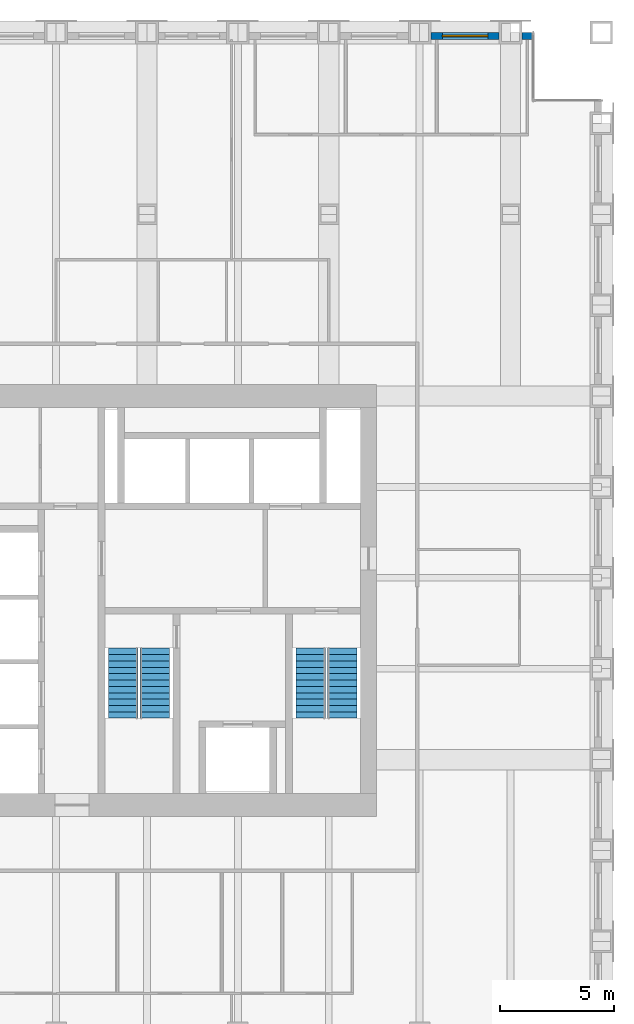
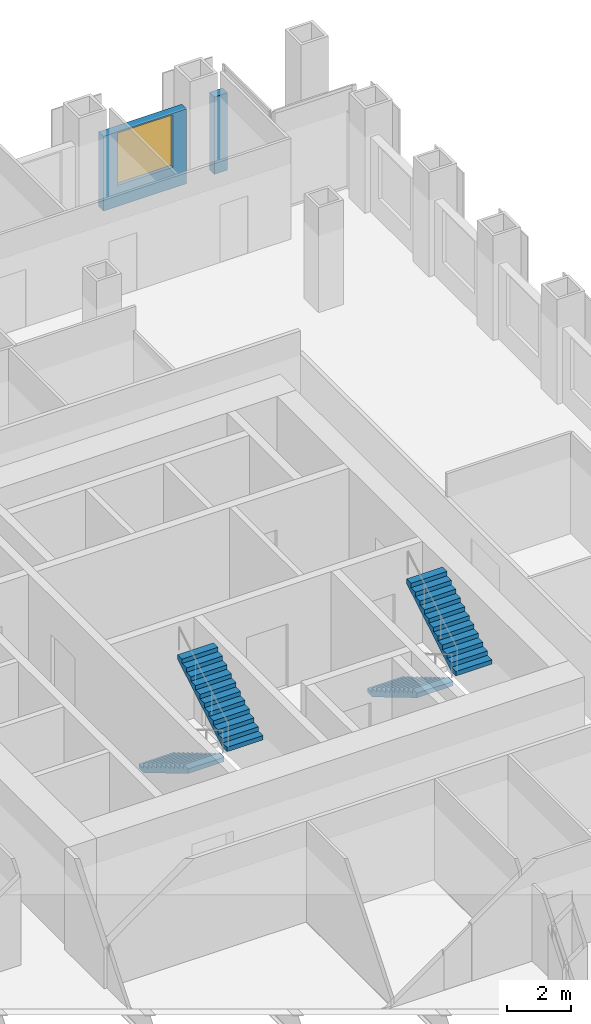
# One storey, part 11 of 12: 4 stair flights, 2 walls, 1 window, 1 opening, 2 elements without a shape of their own.
"""IFC4 building model written with IfcOpenShell, lengths in metres."""

import ifcopenshell
import ifcopenshell.guid

model = None  # the IFC model being written
_history = None  # IfcOwnerHistory: only IFC2X3 demands one
_inside = {}  # id of a spatial element -> (the spatial element, [elements in it])
_under = {}  # id of a project, library or spatial element -> (it, [spatial elements below it])
_declared = {}  # id of a project -> (the project, [libraries it declares])
_typed = {}  # id of a type object -> (the type object, [elements of that type])
_made_of = {}  # id of a material, layer set ... -> (it, [elements and type objects made of it])


def new_model(schema):
    """Start an empty IFC model of exactly this schema.

    Asked for "IFC4X3", IfcOpenShell would pick the latest addendum, in which some entities
    have other attributes; the version numbers below select the first issue.
    IFC2X3 requires an IfcOwnerHistory on every rooted entity: one is made here for all.
    """
    global model, _history
    if schema == "IFC4X3":
        model = ifcopenshell.file(schema_version=(4, 3, 0, 0))
    else:
        model = ifcopenshell.file(schema=schema)
    _inside.clear()
    _under.clear()
    _declared.clear()
    _typed.clear()
    _made_of.clear()
    _history = None
    if model.schema == "IFC2X3":
        org = make("IfcOrganization", Name="unknown")
        user = make(
            "IfcPersonAndOrganization",
            ThePerson=make("IfcPerson", FamilyName="unknown"),
            TheOrganization=org,
        )
        app = make(
            "IfcApplication",
            ApplicationDeveloper=org,
            Version="unknown",
            ApplicationFullName="unknown",
            ApplicationIdentifier="unknown",
        )
        _history = make(
            "IfcOwnerHistory",
            OwningUser=user,
            OwningApplication=app,
            ChangeAction="ADDED",
            CreationDate=0,
        )
    return model


def make(cls, **values):
    """One entity of the class cls with the attributes given. An attribute that is None is left unset."""
    return model.create_entity(
        cls, **{name: value for name, value in values.items() if value is not None}
    )


def rooted(cls, **values):
    """An entity with a GlobalId (a new one), such as an element, a storey or a relation."""
    return make(cls, GlobalId=ifcopenshell.guid.new(), OwnerHistory=_history, **values)


def si_unit(unit_type, name, prefix=None):
    """IfcSIUnit, for example si_unit("LENGTHUNIT", "METRE", prefix="MILLI")."""
    return make("IfcSIUnit", UnitType=unit_type, Prefix=prefix, Name=name)


def assignment(units):
    """IfcUnitAssignment: the units of a project."""
    return None if units is None else make("IfcUnitAssignment", Units=units)


def point(xyz):
    """IfcCartesianPoint."""
    return None if xyz is None else make("IfcCartesianPoint", Coordinates=xyz)


def direction(xyz):
    """IfcDirection."""
    return None if xyz is None else make("IfcDirection", DirectionRatios=xyz)


def frame(location, z_axis=None, x_axis=None):
    """IfcAxis2Placement3D, a coordinate frame: its origin and axes. An axis left out is left unset."""
    return make(
        "IfcAxis2Placement3D",
        Location=point(location),
        Axis=direction(z_axis),
        RefDirection=direction(x_axis),
    )


def frame_2d(location, x_axis=None):
    """IfcAxis2Placement2D, a coordinate frame in the plane: its origin and x axis."""
    return make(
        "IfcAxis2Placement2D", Location=point(location), RefDirection=direction(x_axis)
    )


def origin():
    """The frame at (0, 0, 0) with its axes left unset."""
    return frame((0.0, 0.0, 0.0))


def place(relative_to, where):
    """IfcLocalPlacement: puts the frame where relative to a parent placement (None: the world)."""
    return make(
        "IfcLocalPlacement", PlacementRelTo=relative_to, RelativePlacement=where
    )


def context(
    kind, dimensions, precision=None, world=None, true_north=None, identifier=None
):
    """IfcGeometricRepresentationContext, for example the 3D "Model" context."""
    return make(
        "IfcGeometricRepresentationContext",
        ContextIdentifier=identifier,
        ContextType=kind,
        CoordinateSpaceDimension=dimensions,
        Precision=precision,
        WorldCoordinateSystem=world,
        TrueNorth=true_north,
    )


def subcontext(parent, identifier, kind, view, scale=None):
    """IfcGeometricRepresentationSubContext, for example "Body" below "Model"."""
    return make(
        "IfcGeometricRepresentationSubContext",
        ContextIdentifier=identifier,
        ContextType=kind,
        ParentContext=parent,
        TargetScale=scale,
        TargetView=view,
    )


def project(units=None, contexts=None):
    """IfcProject with its units and contexts."""
    return rooted(
        "IfcProject",
        Name="project",
        RepresentationContexts=contexts,
        UnitsInContext=assignment(units),
    )


def spatial(cls, under=None, at=None, **own):
    """A site, building, storey or space (cls), placed at a placement, below another one or the project."""
    s = rooted(cls, ObjectPlacement=at, **own)
    if under is not None:
        _under.setdefault(under.id(), (under, []))[1].append(s)
    return s


def polyline(points):
    """IfcPolyline through the points."""
    return make("IfcPolyline", Points=[point(p) for p in points])


def profile(cls, at=None, kind="AREA", **sizes):
    """A parametric profile (cls). Its sizes go by their IFC names, for example OverallWidth=200.0."""
    return make(cls, ProfileType=kind, Position=at, **sizes)


def rectangle(**sizes):
    """IfcRectangleProfileDef."""
    return profile("IfcRectangleProfileDef", **sizes)


def outline(outer, holes=None, kind="AREA"):
    """IfcArbitraryClosedProfileDef: a profile drawn as a closed curve; with holes, ...WithVoids."""
    if holes is None:
        return make("IfcArbitraryClosedProfileDef", ProfileType=kind, OuterCurve=outer)
    return make(
        "IfcArbitraryProfileDefWithVoids",
        ProfileType=kind,
        OuterCurve=outer,
        InnerCurves=holes,
    )


def extrude(swept, where, along, depth):
    """IfcExtrudedAreaSolid: the profile swept, set in the frame where, extruded along a direction by depth."""
    return make(
        "IfcExtrudedAreaSolid",
        SweptArea=swept,
        Position=where,
        ExtrudedDirection=direction(along),
        Depth=depth,
    )


def shape(context_of_items, identifier, shape_type, items):
    """IfcShapeRepresentation: the items that make up one representation, for example the "Body"."""
    return make(
        "IfcShapeRepresentation",
        ContextOfItems=context_of_items,
        RepresentationIdentifier=identifier,
        RepresentationType=shape_type,
        Items=items,
    )


def material(Name=None, Category=None):
    """IfcMaterial."""
    return make("IfcMaterial", Name=Name, Category=Category)


def layer(
    of_material, thickness, ventilated=None, Name=None, Category=None, Priority=None
):
    """IfcMaterialLayer: one layer of a wall or slab, of a material (None: an air gap)."""
    return make(
        "IfcMaterialLayer",
        Material=of_material,
        LayerThickness=thickness,
        IsVentilated=ventilated,
        Name=Name,
        Category=Category,
        Priority=Priority,
    )


def layer_set(layers, Name=None):
    """IfcMaterialLayerSet."""
    return make("IfcMaterialLayerSet", MaterialLayers=layers, LayerSetName=Name)


def made_of(thing, what):
    """Note that an element or type object is made of a material, layer set ...; save() writes the relation."""
    if what is not None:
        _made_of.setdefault(what.id(), (what, []))[1].append(thing)
    return thing


def type_object(cls, material=None, **own):
    """A type object (cls), such as IfcWallType, which elements share."""
    return made_of(rooted(cls, **own), material)


def element(
    cls,
    number,
    at=None,
    inside=None,
    cuts=None,
    type_object=None,
    material=None,
    context=None,
    identifier="Body",
    shape_type=None,
    held_by="IfcProductDefinitionShape",
    body=None,
    shapes=None,
    **own,
):
    """One element of the class cls, such as IfcWall. Its Tag is "e" and its number.

    at: its placement. inside: the storey or other place that contains it. cuts: it is an
    opening in that element (IfcRelVoidsElement). A single representation is given by context,
    identifier, shape_type and body (its items); several are given by shapes. held_by: the class
    of the entity that holds the representations. save() writes the other relations.
    """
    e = rooted(cls, Tag="e%d" % number, ObjectPlacement=at, **own)
    if body is not None:
        shapes = [shape(context, identifier, shape_type, body)]
    if shapes is not None:
        e.Representation = make(held_by, Representations=shapes)
    if inside is not None:
        _inside.setdefault(inside.id(), (inside, []))[1].append(e)
    if cuts is not None:
        rooted(
            "IfcRelVoidsElement", RelatingBuildingElement=cuts, RelatedOpeningElement=e
        )
    if type_object is not None:
        _typed.setdefault(type_object.id(), (type_object, []))[1].append(e)
    return made_of(e, material)


def fill(opening, filler):
    """IfcRelFillsElement: the door or window that sits in an opening."""
    return rooted(
        "IfcRelFillsElement",
        RelatingOpeningElement=opening,
        RelatedBuildingElement=filler,
    )


def aggregate(whole, parts):
    """IfcRelAggregates: a whole, such as a stair, and the parts it consists of."""
    return rooted("IfcRelAggregates", RelatingObject=whole, RelatedObjects=parts)


def save(model, path):
    """Write the relations noted so far, then the file.

    IfcRelAggregates (storeys below a building ...), IfcRelContainedInSpatialStructure (elements
    in a storey), IfcRelDefinesByType, IfcRelAssociatesMaterial and IfcRelDeclares: one each for
    every whole, place, type object, material and project.
    """
    for whole, parts in _under.values():
        aggregate(whole, parts)
    for where, things in _inside.values():
        rooted(
            "IfcRelContainedInSpatialStructure",
            RelatedElements=things,
            RelatingStructure=where,
        )
    for kind, things in _typed.values():
        rooted("IfcRelDefinesByType", RelatedObjects=things, RelatingType=kind)
    for what, things in _made_of.values():
        rooted("IfcRelAssociatesMaterial", RelatedObjects=things, RelatingMaterial=what)
    for by, libraries in _declared.values():
        rooted("IfcRelDeclares", RelatingContext=by, RelatedDefinitions=libraries)
    model.write(path)


model = new_model("IFC4")

# Units and contexts
model_context = context("Model", 3, precision=1e-05, world=origin(), true_north=direction((0.0, 1.0)))
body_context = subcontext(model_context, "Body", "Model", "MODEL_VIEW")
ifc_project = project(units=[si_unit("LENGTHUNIT", "METRE"), si_unit("AREAUNIT", "SQUARE_METRE"), si_unit("VOLUMEUNIT", "CUBIC_METRE"), si_unit("PLANEANGLEUNIT", "RADIAN"), si_unit("MASSUNIT", "GRAM", prefix="KILO")], contexts=[model_context])

# Site, building, storey
site_placement = place(None, origin())
site = spatial("IfcSite", under=ifc_project, at=site_placement, CompositionType="ELEMENT")
building_placement = place(site_placement, origin())
building = spatial("IfcBuilding", under=site, at=building_placement, Name="Rimbunsela Tower", CompositionType="ELEMENT")
storey_placement = place(building_placement, frame((0.0, 0.0, 159.800048828125)))
storey = spatial("IfcBuildingStorey", under=building, at=storey_placement, Name="L38", CompositionType="ELEMENT", Elevation=159.800048828125)

# Wall, opening, window
ifc_material_1 = material(Name="Precast concrete fc' 35 MPa", Category="concrete")
ifc_layer = layer(ifc_material_1, 0.300048828125)
ifc_layer_set = layer_set([ifc_layer], Name="Precast concrete fc' 35 MPa")
wall_type = type_object("IfcWallType", Name="Precast facade panel 300", PredefinedType="ELEMENTEDWALL", material=ifc_layer_set)
wall_1_placement = place(storey_placement, frame((41.5, 51.85009765625, 0.0), z_axis=(0.0, 0.0, 1.0), x_axis=(-1.0, 0.0, 0.0)))
wall_1 = element("IfcWall", 1, at=wall_1_placement, inside=storey, type_object=wall_type, Name="Facade panel N L38", PredefinedType="ELEMENTEDWALL", context=body_context, shape_type="SweptSolid", body=[
    extrude(rectangle(XDim=3.0, YDim=0.300048828125, at=frame_2d((1.5, 0.0))), origin(), (0.0, 0.0, 1.0), 2.849853515625),
])
opening_placement = place(wall_1_placement, frame((0.5, 0.0, 0.800048828125)))
opening = element("IfcOpeningElement", 2, at=opening_placement, cuts=wall_1, Name="Opening W1", PredefinedType="OPENING", context=body_context, shape_type="SweptSolid", body=[
    extrude(rectangle(XDim=2.0, YDim=2.0, at=frame_2d((1.0, 1.0))), frame((0.0, 0.159912109375, 0.0), z_axis=(0.0, -1.0, 0.0), x_axis=(1.0, 0.0, 0.0)), (0.0, 0.0, 1.0), 0.320068359375),
])
ifc_material_2 = material(Name="Clear glass in aluminium frame", Category="aluminium")
window_type = type_object("IfcWindowType", Name="Window W1 2000x2000", PartitioningType="DOUBLE_PANEL_VERTICAL", PredefinedType="WINDOW", material=ifc_material_2)
window_placement = place(opening_placement, origin())
window = element("IfcWindow", 3, at=window_placement, inside=storey, type_object=window_type, Name="Window L38", OverallHeight=2.0, OverallWidth=2.0, PartitioningType="SINGLE_PANEL", PredefinedType="WINDOW", context=body_context, shape_type="SweptSolid", body=[
    extrude(rectangle(XDim=2.0, YDim=2.0, at=frame_2d((1.0, 1.0))), frame((0.0, 0.030029296875, 0.0), z_axis=(0.0, -1.0, 0.0), x_axis=(1.0, 0.0, 0.0)), (0.0, 0.0, 1.0), 0.06005859375),
])
fill(opening, window)

# Wall
wall_2_placement = place(storey_placement, frame((42.969970703125, 51.85009765625, 0.0), z_axis=(0.0, 0.0, 1.0), x_axis=(-1.0, 0.0, 0.0)))
element("IfcWall", 4, at=wall_2_placement, inside=storey, type_object=wall_type, Name="Facade panel N L38", PredefinedType="ELEMENTEDWALL", context=body_context, shape_type="SweptSolid", body=[
    extrude(rectangle(XDim=0.469970703125, YDim=0.300048828125, at=frame_2d((0.23486328125, 0.0))), origin(), (0.0, 0.0, 1.0), 2.949951171875),
])

# Stair, stair flights
ifc_material_3 = material(Name="Concrete fc' 35 MPa", Category="concrete")
stair_type = type_object("IfcStairType", Name="Exit stair 24 risers", PredefinedType="HALF_TURN_STAIR", material=ifc_material_3)
stair_1_placement = place(storey_placement, origin())
stair_1 = element("IfcStair", 5, at=stair_1_placement, inside=storey, type_object=stair_type, Name="Exit stair A L38", PredefinedType="HALF_TURN_STAIR")
ifc_material_4 = material(Name="Concrete fc' 35 MPa", Category="concrete")
stair_flight_type = type_object("IfcStairFlightType", Name="Stair flight 12 risers 167", PredefinedType="STRAIGHT", material=ifc_material_4)
stair_flight_1_placement = place(storey_placement, frame((24.949951171875, 24.89990234375, 0.0), z_axis=(0.0, 0.0, 1.0), x_axis=(0.0, -1.0, 0.0)))
stair_flight_1 = element("IfcStairFlight", 6, at=stair_flight_1_placement, type_object=stair_flight_type, Name="ST-A flight 1", NumberOfRisers=12, NumberOfTreads=11, PredefinedType="STRAIGHT", RiserHeight=0.166666667, TreadLength=0.28, context=body_context, shape_type="SweptSolid", body=[
    extrude(outline(polyline([(0.0, 0.0), (0.0, 0.166748046875), (0.280029296875, 0.166748046875), (0.280029296875, 0.333251953125), (0.56005859375, 0.333251953125), (0.56005859375, 0.5), (0.840087890625, 0.5), (0.840087890625, 0.666748046875), (1.1201171875, 0.666748046875), (1.1201171875, 0.833251953125), (1.39990234375, 0.833251953125), (1.39990234375, 1.0), (1.679931640625, 1.0), (1.679931640625, 1.166748046875), (1.9599609375, 1.166748046875), (1.9599609375, 1.333251953125), (2.239990234375, 1.333251953125), (2.239990234375, 1.5), (2.52001953125, 1.5), (2.52001953125, 1.666748046875), (2.800048828125, 1.666748046875), (2.800048828125, 1.833251953125), (3.080078125, 1.833251953125), (3.080078125, 2.0), (3.080078125, 1.658935546875), (0.29296875, 0.0), (0.0, 0.0)])), frame((0.0, 0.64990234375, 0.0), z_axis=(0.0, -1.0, 0.0), x_axis=(1.0, 0.0, 0.0)), (0.0, 0.0, 1.0), 1.300048828125),
])
stair_flight_2_placement = place(storey_placement, frame((26.35009765625, 21.820068359375, 2.0), z_axis=(0.0, 0.0, 1.0), x_axis=(0.0, 1.0, 0.0)))
stair_flight_2 = element("IfcStairFlight", 7, at=stair_flight_2_placement, type_object=stair_flight_type, Name="ST-A flight 2", NumberOfRisers=12, NumberOfTreads=11, PredefinedType="STRAIGHT", RiserHeight=0.166666667, TreadLength=0.28, context=body_context, shape_type="SweptSolid", body=[
    extrude(outline(polyline([(0.0, 0.0), (0.0, 0.166748046875), (0.280029296875, 0.166748046875), (0.280029296875, 0.333251953125), (0.56005859375, 0.333251953125), (0.56005859375, 0.5), (0.840087890625, 0.5), (0.840087890625, 0.666748046875), (1.1201171875, 0.666748046875), (1.1201171875, 0.833251953125), (1.39990234375, 0.833251953125), (1.39990234375, 1.0), (1.679931640625, 1.0), (1.679931640625, 1.166748046875), (1.9599609375, 1.166748046875), (1.9599609375, 1.333251953125), (2.239990234375, 1.333251953125), (2.239990234375, 1.5), (2.52001953125, 1.5), (2.52001953125, 1.666748046875), (2.800048828125, 1.666748046875), (2.800048828125, 1.833251953125), (3.080078125, 1.833251953125), (3.080078125, 2.0), (3.080078125, 1.658935546875), (0.29296875, 0.0), (0.0, 0.0)])), frame((0.0, 0.64990234375, 0.0), z_axis=(0.0, -1.0, 0.0), x_axis=(1.0, 0.0, 0.0)), (0.0, 0.0, 1.0), 1.300048828125),
])
aggregate(stair_1, [stair_flight_1, stair_flight_2])

stair_2_placement = place(storey_placement, origin())
stair_2 = element("IfcStair", 8, at=stair_2_placement, inside=storey, type_object=stair_type, Name="Exit stair B L38", PredefinedType="HALF_TURN_STAIR")
stair_flight_3_placement = place(storey_placement, frame((33.199951171875, 24.89990234375, 0.0), z_axis=(0.0, 0.0, 1.0), x_axis=(0.0, -1.0, 0.0)))
stair_flight_3 = element("IfcStairFlight", 9, at=stair_flight_3_placement, type_object=stair_flight_type, Name="ST-B flight 1", NumberOfRisers=12, NumberOfTreads=11, PredefinedType="STRAIGHT", RiserHeight=0.166666667, TreadLength=0.28, context=body_context, shape_type="SweptSolid", body=[
    extrude(outline(polyline([(0.0, 0.0), (0.0, 0.166748046875), (0.280029296875, 0.166748046875), (0.280029296875, 0.333251953125), (0.56005859375, 0.333251953125), (0.56005859375, 0.5), (0.840087890625, 0.5), (0.840087890625, 0.666748046875), (1.1201171875, 0.666748046875), (1.1201171875, 0.833251953125), (1.39990234375, 0.833251953125), (1.39990234375, 1.0), (1.679931640625, 1.0), (1.679931640625, 1.166748046875), (1.9599609375, 1.166748046875), (1.9599609375, 1.333251953125), (2.239990234375, 1.333251953125), (2.239990234375, 1.5), (2.52001953125, 1.5), (2.52001953125, 1.666748046875), (2.800048828125, 1.666748046875), (2.800048828125, 1.833251953125), (3.080078125, 1.833251953125), (3.080078125, 2.0), (3.080078125, 1.658935546875), (0.29296875, 0.0), (0.0, 0.0)])), frame((0.0, 0.64990234375, 0.0), z_axis=(0.0, -1.0, 0.0), x_axis=(1.0, 0.0, 0.0)), (0.0, 0.0, 1.0), 1.300048828125),
])
stair_flight_4_placement = place(storey_placement, frame((34.60009765625, 21.820068359375, 2.0), z_axis=(0.0, 0.0, 1.0), x_axis=(0.0, 1.0, 0.0)))
stair_flight_4 = element("IfcStairFlight", 10, at=stair_flight_4_placement, type_object=stair_flight_type, Name="ST-B flight 2", NumberOfRisers=12, NumberOfTreads=11, PredefinedType="STRAIGHT", RiserHeight=0.166666667, TreadLength=0.28, context=body_context, shape_type="SweptSolid", body=[
    extrude(outline(polyline([(0.0, 0.0), (0.0, 0.166748046875), (0.280029296875, 0.166748046875), (0.280029296875, 0.333251953125), (0.56005859375, 0.333251953125), (0.56005859375, 0.5), (0.840087890625, 0.5), (0.840087890625, 0.666748046875), (1.1201171875, 0.666748046875), (1.1201171875, 0.833251953125), (1.39990234375, 0.833251953125), (1.39990234375, 1.0), (1.679931640625, 1.0), (1.679931640625, 1.166748046875), (1.9599609375, 1.166748046875), (1.9599609375, 1.333251953125), (2.239990234375, 1.333251953125), (2.239990234375, 1.5), (2.52001953125, 1.5), (2.52001953125, 1.666748046875), (2.800048828125, 1.666748046875), (2.800048828125, 1.833251953125), (3.080078125, 1.833251953125), (3.080078125, 2.0), (3.080078125, 1.658935546875), (0.29296875, 0.0), (0.0, 0.0)])), frame((0.0, 0.64990234375, 0.0), z_axis=(0.0, -1.0, 0.0), x_axis=(1.0, 0.0, 0.0)), (0.0, 0.0, 1.0), 1.300048828125),
])
aggregate(stair_2, [stair_flight_3, stair_flight_4])

save(model, "model.ifc")
